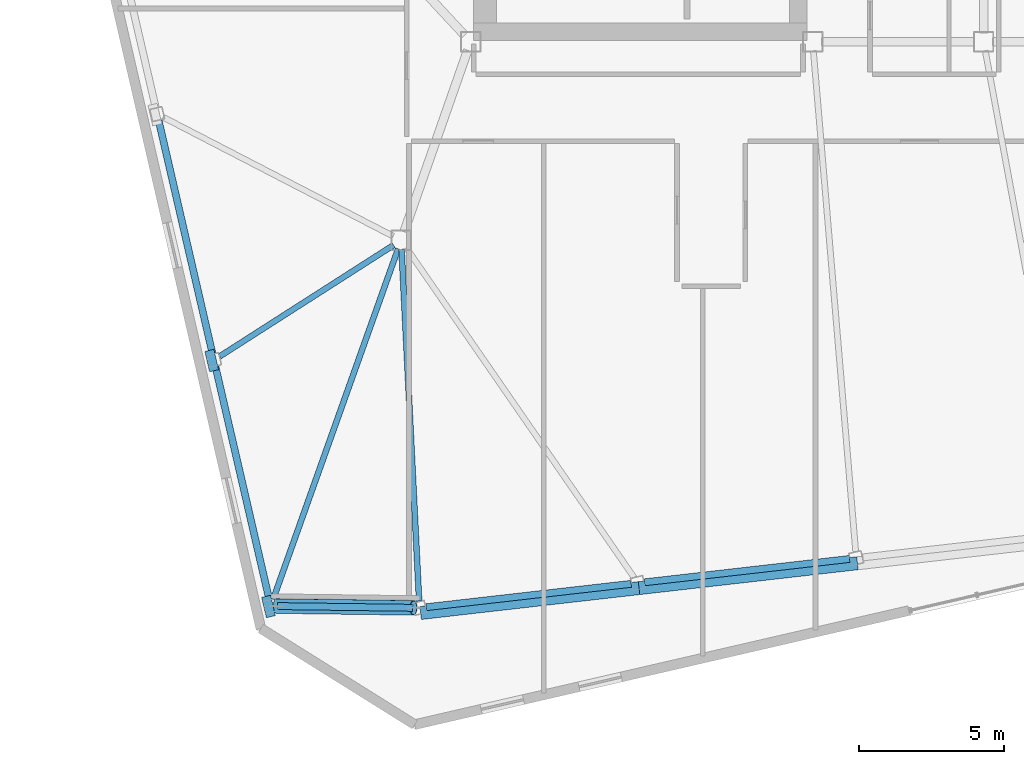
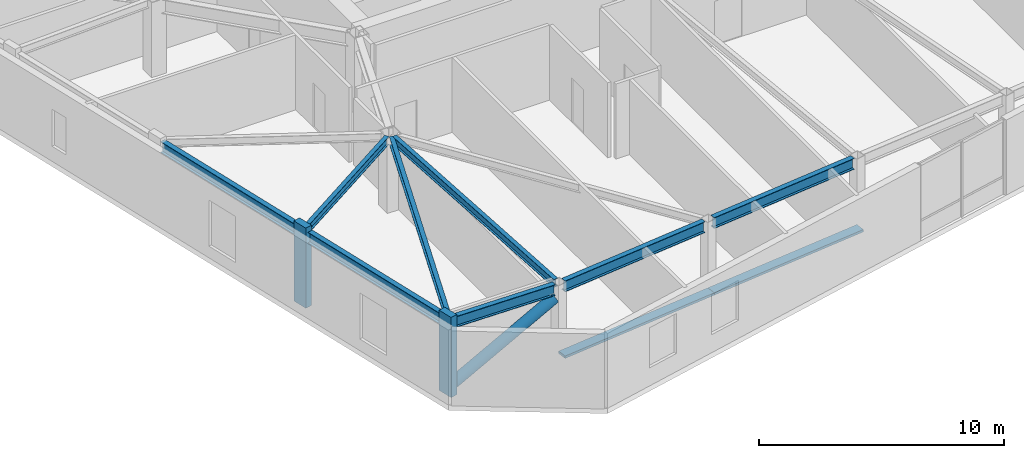
# One storey, part 5 of 22: 8 beams, 5 members.
"""IFC4 building model written with IfcOpenShell, lengths in metres."""

from ifc_helpers import new_model, si_unit, direction, frame, origin, origin_2d, place, context, subcontext, project, spatial, rectangle, hollow_circle, i_section, extrude, material, material_profile, profile_set, type_object, element, save


model = new_model("IFC4")

# Units and contexts
model_context = context("Model", 3, precision=1e-05, world=origin(), true_north=direction((0.0, 1.0)))
body_context = subcontext(model_context, "Body", "Model", "MODEL_VIEW")
ifc_project = project(units=[si_unit("LENGTHUNIT", "METRE"), si_unit("AREAUNIT", "SQUARE_METRE"), si_unit("VOLUMEUNIT", "CUBIC_METRE"), si_unit("PLANEANGLEUNIT", "RADIAN"), si_unit("MASSUNIT", "GRAM", prefix="KILO")], contexts=[model_context])

# Site, building, storey
site_placement = place(None, origin())
site = spatial("IfcSite", under=ifc_project, at=site_placement, CompositionType="ELEMENT")
building_placement = place(site_placement, origin())
building = spatial("IfcBuilding", under=site, at=building_placement, Name="Tavrogorsk Clinical Tower", CompositionType="ELEMENT")
storey_placement = place(building_placement, frame((0.0, 0.0, 313.0)))
storey = spatial("IfcBuildingStorey", under=building, at=storey_placement, Name="L73", CompositionType="ELEMENT", Elevation=313.0)

# Members
ifc_material_1 = material(Name="Anodised aluminium alloy AW-6063", Category="aluminium")
ifc_material_profile_1 = material_profile(ifc_material_1, rectangle(XDim=0.449951171875, YDim=0.1201171875, at=origin_2d()), Name="ALU-SUNSHADE-450x120")
ifc_profile_set_1 = profile_set([ifc_material_profile_1], Name="Anodised aluminium alloy AW-6063")
member_type_1 = type_object("IfcMemberType", Name="ChicagoSunshade_450x120", PredefinedType="USERDEFINED", material=ifc_profile_set_1)
member_1_placement = place(storey_placement, frame((-23.826416015625, -26.061279296875, 0.179931640625), z_axis=(0.993572551544, 0.113197106051, 0.0), x_axis=(-0.113197106051, 0.993572551544, 0.0)))
element("IfcMember", 1, at=member_1_placement, inside=storey, type_object=member_type_1, Name="L73 South Aluminium Sunshade S1", ObjectType="SUNSHADE", PredefinedType="USERDEFINED", context=body_context, shape_type="SweptSolid", body=[
    extrude(rectangle(XDim=0.449951171875, YDim=0.1201171875, at=origin_2d()), origin(), (0.0, 0.0, 1.0), 7.58544921875),
])
member_2_placement = place(storey_placement, frame((-16.289794921875, -25.20263671875, 0.179931640625), z_axis=(0.99357213911, 0.113200726076, 0.0), x_axis=(-0.113200726076, 0.99357213911, 0.0)))
element("IfcMember", 2, at=member_2_placement, inside=storey, type_object=member_type_1, Name="L73 South Aluminium Sunshade S2", ObjectType="SUNSHADE", PredefinedType="USERDEFINED", context=body_context, shape_type="SweptSolid", body=[
    extrude(rectangle(XDim=0.449951171875, YDim=0.1201171875, at=origin_2d()), origin(), (0.0, 0.0, 1.0), 7.585205078125),
])
ifc_material_2 = material(Name="Structural steel S440", Category="steel")
ifc_material_profile_2 = material_profile(ifc_material_2, hollow_circle(Radius=0.25390625, WallThickness=0.02001953125, at=origin_2d()), Name="CHS-508x20")
ifc_profile_set_2 = profile_set([ifc_material_profile_2], Name="Structural steel S440")
member_type_2 = type_object("IfcMemberType", Name="ExoBrace_CHS508", PredefinedType="BRACE", material=ifc_profile_set_2)
member_3_placement = place(storey_placement, frame((-28.794677734375, -25.821533203125, 0.412841796875), z_axis=(0.874894907887, -0.011394569062, 0.484178752062), x_axis=(0.013022824449, 0.999915199426, 0.0)))
element("IfcMember", 3, at=member_3_placement, inside=storey, type_object=member_type_2, Name="L73 Corner Exoskeleton Brace W5-S1", PredefinedType="BRACE", context=body_context, shape_type="SweptSolid", body=[
    extrude(hollow_circle(Radius=0.25390625, WallThickness=0.02001953125, at=origin_2d()), origin(), (0.0, 0.0, 1.0), 5.3994140625),
])

# Beams
ifc_material_3 = material(Name="Structural steel S355", Category="steel")
ifc_material_profile_3 = material_profile(ifc_material_3, i_section(OverallWidth=0.199951171875, OverallDepth=0.39990234375, WebThickness=0.010498046875, FlangeThickness=0.01611328125, at=origin_2d()), Name="B-400x200x10.5x16")
ifc_profile_set_3 = profile_set([ifc_material_profile_3], Name="Structural steel S355")
beam_type_1 = type_object("IfcBeamType", Name="FloorBeam_B400", PredefinedType="BEAM", material=ifc_profile_set_3)
beam_1_placement = place(storey_placement, frame((-24.484619140625, -13.509521484375, 3.5400390625), z_axis=(0.049857498916, -0.998756341558, 0.0), x_axis=(0.998756341558, 0.049857498916, 0.0)))
element("IfcBeam", 4, at=beam_1_placement, inside=storey, type_object=beam_type_1, Name="L73 Radial Floor Beam S1", PredefinedType="BEAM", context=body_context, shape_type="SweptSolid", body=[
    extrude(i_section(OverallWidth=0.199951171875, OverallDepth=0.39990234375, WebThickness=0.010498046875, FlangeThickness=0.01611328125, at=origin_2d()), origin(), (0.0, 0.0, 1.0), 12.15869140625),
])
beam_2_placement = place(storey_placement, frame((-24.76123046875, -13.3671875, 3.5400390625), z_axis=(-0.842332392078, -0.538958385459, 0.0), x_axis=(0.538958385459, -0.842332392078, 0.0)))
element("IfcBeam", 5, at=beam_2_placement, inside=storey, type_object=beam_type_1, Name="L73 Radial Floor Beam W4", PredefinedType="BEAM", context=body_context, shape_type="SweptSolid", body=[
    extrude(i_section(OverallWidth=0.199951171875, OverallDepth=0.39990234375, WebThickness=0.010498046875, FlangeThickness=0.01611328125, at=origin_2d()), origin(), (0.0, 0.0, 1.0), 7.123779296875),
])
beam_3_placement = place(storey_placement, frame((-24.60400390625, -13.491943359375, 3.5400390625), z_axis=(-0.335800921645, -0.941932981173, 0.0), x_axis=(0.941932981173, -0.335800921645, 0.0)))
element("IfcBeam", 6, at=beam_3_placement, inside=storey, type_object=beam_type_1, Name="L73 Radial Floor Beam W5", PredefinedType="BEAM", context=body_context, shape_type="SweptSolid", body=[
    extrude(i_section(OverallWidth=0.199951171875, OverallDepth=0.39990234375, WebThickness=0.010498046875, FlangeThickness=0.01611328125, at=origin_2d()), origin(), (0.0, 0.0, 1.0), 12.85400390625),
])

# Members
ifc_material_4 = material(Name="Precast concrete B45 with limestone cladding", Category="masonry")
ifc_material_profile_4 = material_profile(ifc_material_4, rectangle(XDim=0.320068359375, YDim=0.719970703125, at=origin_2d()), Name="LIMESTONE-FIN-320x720")
ifc_profile_set_4 = profile_set([ifc_material_profile_4], Name="Precast concrete B45 with limestone cladding")
member_type_3 = type_object("IfcMemberType", Name="LimestonePleatFin_320x720", PredefinedType="USERDEFINED", material=ifc_profile_set_4)
for number, where, z_axis, x_axis, name in (
    (7, (-31.035888671875, -17.35009765625, 0.0), (0.0, 0.0, 1.0), (0.974370064785, 0.224951054344, 0.0), "L73 W Pleated Stone Fin 3"),
    (8, (-29.07666015625, -25.8369140625, 0.0), (0.0, 0.0, 1.0), (0.974370064785, 0.224951054344, 0.0), "L73 W Pleated Stone Fin 4"),
):
    element("IfcMember", number, at=place(storey_placement, frame(where, z_axis=z_axis, x_axis=x_axis)), inside=storey, type_object=member_type_3, Name=name, ObjectType="FIN", PredefinedType="USERDEFINED", context=body_context, shape_type="SweptSolid", body=[
        extrude(rectangle(XDim=0.320068359375, YDim=0.719970703125, at=origin_2d()), origin(), (0.0, 0.0, 1.0), 4.0),
    ])

# Beams
ifc_material_5 = material(Name="Structural steel S390", Category="steel")
ifc_material_profile_5 = material_profile(ifc_material_5, i_section(OverallWidth=0.239990234375, OverallDepth=0.550048828125, WebThickness=0.013916015625, FlangeThickness=0.02197265625, at=origin_2d()), Name="B-550x240x14x22")
ifc_profile_set_5 = profile_set([ifc_material_profile_5], Name="Structural steel S390")
beam_type_2 = type_object("IfcBeamType", Name="SpandrelBeam_B550", PredefinedType="SPANDREL", material=ifc_profile_set_5)
for number, where, z_axis, x_axis, name in (
    (9, (-23.635498046875, -25.859375, 3.465087890625), (0.993572073137, 0.113201305126, 0.0), (-0.113201305126, 0.993572073137, 0.0), "L73 Perimeter Spandrel S1-S2"),
    (10, (-16.098876953125, -25.000732421875, 3.465087890625), (0.993572073137, 0.113201305126, 0.0), (-0.113201305126, 0.993572073137, 0.0), "L73 Perimeter Spandrel S2-S3"),
):
    element("IfcBeam", number, at=place(storey_placement, frame(where, z_axis=z_axis, x_axis=x_axis)), inside=storey, type_object=beam_type_2, Name=name, PredefinedType="SPANDREL", context=body_context, shape_type="SweptSolid", body=[
        extrude(i_section(OverallWidth=0.239990234375, OverallDepth=0.550048828125, WebThickness=0.013916015625, FlangeThickness=0.02197265625, at=origin_2d()), origin(), (0.0, 0.0, 1.0), 7.119140625),
    ])
beam_4_placement = place(storey_placement, frame((-32.864990234375, -9.072509765625, 3.465087890625), z_axis=(0.224978460613, -0.974363737144, 0.0), x_axis=(0.974363737144, 0.224978460613, 0.0)))
element("IfcBeam", 11, at=beam_4_placement, inside=storey, type_object=beam_type_2, Name="L73 Perimeter Spandrel W3-W4", PredefinedType="SPANDREL", context=body_context, shape_type="SweptSolid", body=[
    extrude(i_section(OverallWidth=0.239990234375, OverallDepth=0.550048828125, WebThickness=0.013916015625, FlangeThickness=0.02197265625, at=origin_2d()), origin(), (0.0, 0.0, 1.0), 8.244140625),
])
beam_5_placement = place(storey_placement, frame((-30.905517578125, -17.559326171875, 3.465087890625), z_axis=(0.224950345141, -0.974370228517, 0.0), x_axis=(0.974370228517, 0.224950345141, 0.0)))
element("IfcBeam", 12, at=beam_5_placement, inside=storey, type_object=beam_type_2, Name="L73 Perimeter Spandrel W4-W5", PredefinedType="SPANDREL", context=body_context, shape_type="SweptSolid", body=[
    extrude(i_section(OverallWidth=0.239990234375, OverallDepth=0.550048828125, WebThickness=0.013916015625, FlangeThickness=0.02197265625, at=origin_2d()), origin(), (0.0, 0.0, 1.0), 8.243896484375),
])
beam_6_placement = place(storey_placement, frame((-28.765625, -25.822021484375, 3.465087890625), z_axis=(0.999915131489, -0.013028039754, 0.0), x_axis=(0.013028039754, 0.999915131489, 0.0)))
element("IfcBeam", 13, at=beam_6_placement, inside=storey, type_object=beam_type_2, Name="L73 Perimeter Spandrel W5-S1", PredefinedType="SPANDREL", context=body_context, shape_type="SweptSolid", body=[
    extrude(i_section(OverallWidth=0.239990234375, OverallDepth=0.550048828125, WebThickness=0.013916015625, FlangeThickness=0.02197265625, at=origin_2d()), origin(), (0.0, 0.0, 1.0), 4.666259765625),
])

save(model, "model.ifc")
